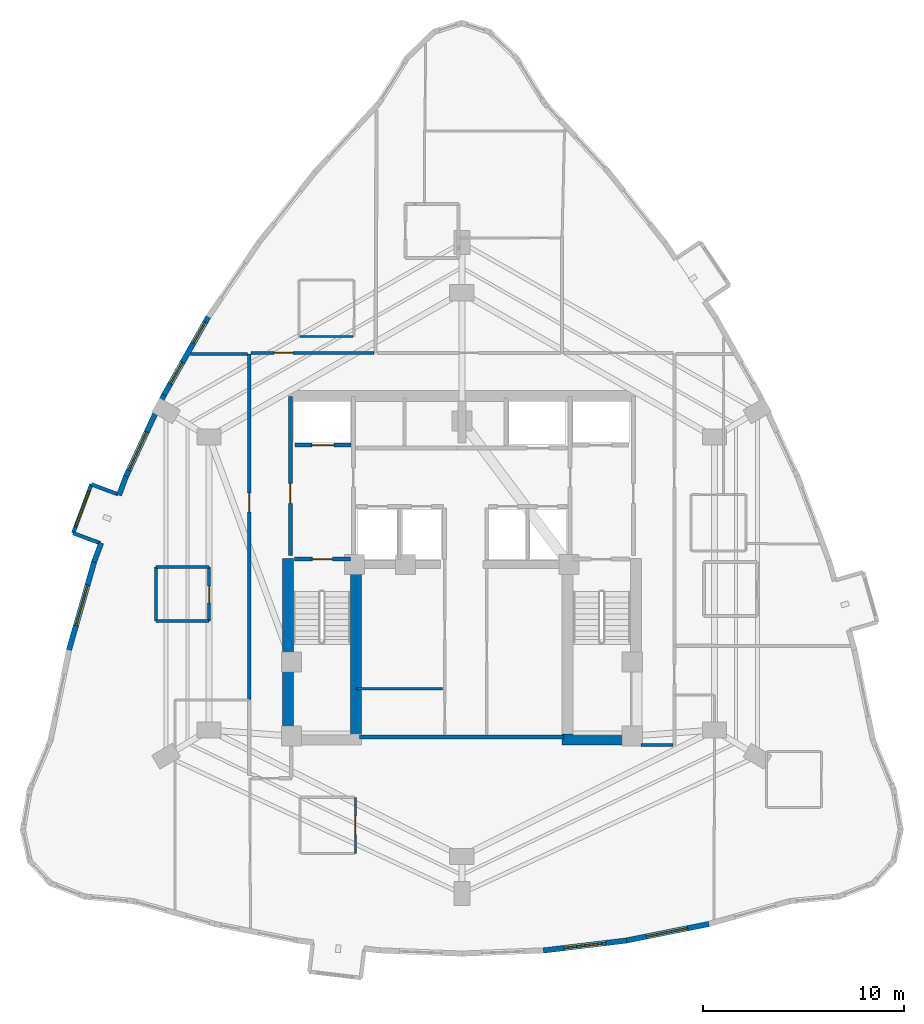
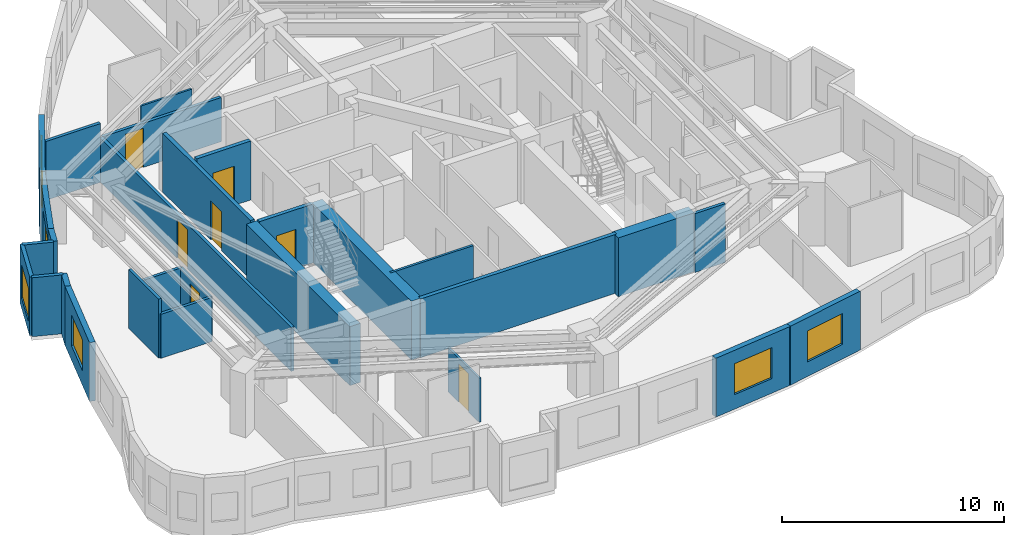
# One storey, part 5 of 10: 28 walls, 7 doors, 7 windows, 14 openings.
"""IFC4 building model written with IfcOpenShell, lengths in metres."""

from ifc_helpers import new_model, si_unit, direction, frame, frame_2d, origin, place, context, subcontext, project, spatial, rectangle, extrude, material, layer, layer_set, type_object, element, fill, save


model = new_model("IFC4")

# Units and contexts
model_context = context("Model", 3, precision=1e-05, world=origin(), true_north=direction((0.0, 1.0)))
body_context = subcontext(model_context, "Body", "Model", "MODEL_VIEW")
ifc_project = project(units=[si_unit("LENGTHUNIT", "METRE"), si_unit("AREAUNIT", "SQUARE_METRE"), si_unit("VOLUMEUNIT", "CUBIC_METRE"), si_unit("PLANEANGLEUNIT", "RADIAN"), si_unit("MASSUNIT", "GRAM", prefix="KILO")], contexts=[model_context])

# Site, building, storey
site_placement = place(None, origin())
site = spatial("IfcSite", under=ifc_project, at=site_placement, CompositionType="ELEMENT")
building_placement = place(site_placement, origin())
building = spatial("IfcBuilding", under=site, at=building_placement, Name="Miruveldt Soraemaru", CompositionType="ELEMENT")
storey_placement = place(building_placement, frame((0.0, 0.0, 124.89990234375)))
storey = spatial("IfcBuildingStorey", under=building, at=storey_placement, Name="L34", CompositionType="ELEMENT", Elevation=124.89990234375)

# Walls
ifc_material_1 = material(Name="White powder-coated aluminium EN AW-6060 T6", Category="aluminium")
ifc_layer_1 = layer(ifc_material_1, 0.18994140625, Name="White powder-coated aluminium EN AW-6060 T6", Category="aluminium")
ifc_layer_set_1 = layer_set([ifc_layer_1], Name="White powder-coated aluminium EN AW-6060 T6")
wall_type_1 = type_object("IfcWallType", Name="WALL-BAY-ALU190", PredefinedType="SOLIDWALL", material=ifc_layer_set_1)
for number, where, z_axis, x_axis, name in (
    (1, (26.866943359375, 47.552978515625, 0.0), (0.0, 0.0, 1.0), (-0.937129361406, 0.348982177182, 0.0), "L34 Bay Window Side Cheek 1L"),
    (2, (24.6240234375, 45.614013671875, 0.0), (0.0, 0.0, 1.0), (0.937129361406, -0.348982177182, 0.0), "L34 Bay Window Side Cheek 1R"),
):
    element("IfcWall", number, at=place(storey_placement, frame(where, z_axis=z_axis, x_axis=x_axis)), inside=storey, type_object=wall_type_1, Name=name, PredefinedType="SOLIDWALL", context=body_context, shape_type="SweptSolid", body=[
        extrude(rectangle(XDim=1.425048828125, YDim=0.18994140625, at=frame_2d((0.71240234375, 0.0))), origin(), (0.0, 0.0, 1.0), 3.235107421875),
    ])

# Wall, opening, window
wall_1_placement = place(storey_placement, frame((25.531494140625, 48.05029296875, 0.0), z_axis=(0.0, 0.0, 1.0), x_axis=(-0.349054047709, -0.937102594051, 0.0)))
wall_1 = element("IfcWall", 3, at=wall_1_placement, inside=storey, type_object=wall_type_1, Name="L34 Bay Window Front Frame 1", PredefinedType="SOLIDWALL", context=body_context, shape_type="SweptSolid", body=[
    extrude(rectangle(XDim=2.599853515625, YDim=0.18994140625, at=frame_2d((1.2998046875, 0.0))), origin(), (0.0, 0.0, 1.0), 3.235107421875),
])
opening_1_placement = place(wall_1_placement, frame((0.35009765625, 0.0, 0.550048828125)))
opening_1 = element("IfcOpeningElement", 4, at=opening_1_placement, cuts=wall_1, Name="Opening WN-6", PredefinedType="OPENING", context=body_context, shape_type="SweptSolid", body=[
    extrude(rectangle(XDim=1.89990234375, YDim=1.85009765625, at=frame_2d((0.949951171875, 0.925048828125))), frame((0.0, 0.10498046875, 0.0), z_axis=(0.0, -1.0, 0.0), x_axis=(1.0, 0.0, 0.0)), (0.0, 0.0, 1.0), 0.2099609375),
])
ifc_material_2 = material(Name="Triple low-e insulated glazing", Category="glass")
window_type_1 = type_object("IfcWindowType", Name="WIN-BAYW-1900x1850", PartitioningType="SINGLE_PANEL", PredefinedType="WINDOW", material=ifc_material_2)
window_1_placement = place(opening_1_placement, origin())
window_1 = element("IfcWindow", 5, at=window_1_placement, inside=storey, type_object=window_type_1, Name="L34 Projecting Bay Window 1", OverallHeight=1.85009765625, OverallWidth=1.89990234375, PartitioningType="SINGLE_PANEL", PredefinedType="WINDOW", context=body_context, shape_type="SweptSolid", body=[
    extrude(rectangle(XDim=1.89990234375, YDim=1.85009765625, at=frame_2d((0.949951171875, 0.925048828125))), frame((0.0, 0.030029296875, 0.0), z_axis=(0.0, -1.0, 0.0), x_axis=(1.0, 0.0, 0.0)), (0.0, 0.0, 1.0), 0.06005859375),
])
fill(opening_1, window_1)

# Walls
ifc_material_3 = material(Name="Concrete C70/85 (70 MPa)", Category="concrete")
ifc_layer_2 = layer(ifc_material_3, 0.550048828125, Name="Concrete C70/85 (70 MPa)", Category="concrete")
ifc_layer_set_2 = layer_set([ifc_layer_2], Name="Concrete C70/85 (70 MPa)")
wall_type_2 = type_object("IfcWallType", Name="WALL-CW-550", PredefinedType="SHEAR", material=ifc_layer_set_2)
wall_2_placement = place(storey_placement, frame((49.0, 35.324951171875, 0.0), z_axis=(0.0, 0.0, 1.0), x_axis=(1.0, 0.0, 0.0)))
element("IfcWall", 6, at=wall_2_placement, inside=storey, type_object=wall_type_2, Name="L34 Central Core Shear Wall S2", PredefinedType="SHEAR", context=body_context, shape_type="SweptSolid", body=[
    extrude(rectangle(XDim=3.949951171875, YDim=0.550048828125, at=frame_2d((1.97509765625, 0.0))), origin(), (0.0, 0.0, 1.0), 3.235107421875),
])
wall_3_placement = place(storey_placement, frame((35.324951171875, 35.050048828125, 0.0), z_axis=(0.0, 0.0, 1.0), x_axis=(0.0, 1.0, 0.0)))
element("IfcWall", 7, at=wall_3_placement, inside=storey, type_object=wall_type_2, Name="L34 Central Core Shear Wall W1", PredefinedType="SHEAR", context=body_context, shape_type="SweptSolid", body=[
    extrude(rectangle(XDim=9.300048828125, YDim=0.550048828125, at=frame_2d((4.64990234375, 0.0))), origin(), (0.0, 0.0, 1.0), 3.235107421875),
])
wall_4_placement = place(storey_placement, frame((38.72509765625, 35.39990234375, 0.0), z_axis=(0.0, 0.0, 1.0), x_axis=(0.0, 1.0, 0.0)))
element("IfcWall", 8, at=wall_4_placement, inside=storey, type_object=wall_type_2, Name="L34 Central Core Shear Wall SW-INT", PredefinedType="SHEAR", context=body_context, shape_type="SweptSolid", body=[
    extrude(rectangle(XDim=8.9501953125, YDim=0.550048828125, at=frame_2d((4.47509765625, 0.0))), origin(), (0.0, 0.0, 1.0), 3.235107421875),
])

# Wall, openings, windows
ifc_material_4 = material(Name="Precast concrete C45/55 (45 MPa)", Category="concrete")
ifc_layer_3 = layer(ifc_material_4, 0.27001953125, Name="Precast concrete C45/55 (45 MPa)", Category="concrete")
ifc_layer_set_3 = layer_set([ifc_layer_3], Name="Precast concrete C45/55 (45 MPa)")
wall_type_3 = type_object("IfcWallType", Name="WALL-EXT-PC270", PredefinedType="SOLIDWALL", material=ifc_layer_set_3)
wall_5_placement = place(storey_placement, frame((31.361328125, 56.396484375, 0.0), z_axis=(0.0, 0.0, 1.0), x_axis=(-0.49335164036, -0.869829959793, 0.0)))
wall_5 = element("IfcWall", 9, at=wall_5_placement, inside=storey, type_object=wall_type_3, Name="L34 Precast Concrete Facade Wall 10", PredefinedType="SOLIDWALL", context=body_context, shape_type="SweptSolid", body=[
    extrude(rectangle(XDim=4.541259765625, YDim=0.27001953125, at=frame_2d((2.2705078125, 0.0))), origin(), (0.0, 0.0, 1.0), 3.235107421875),
])
opening_2_placement = place(wall_5_placement, frame((0.298095703125, 0.0, 0.780029296875)))
opening_2 = element("IfcOpeningElement", 10, at=opening_2_placement, cuts=wall_5, Name="Opening WN-4", PredefinedType="OPENING", context=body_context, shape_type="SweptSolid", body=[
    extrude(rectangle(XDim=1.199951171875, YDim=1.550048828125, at=frame_2d((0.60009765625, 0.77490234375))), frame((0.0, 0.14501953125, 0.0), z_axis=(0.0, -1.0, 0.0), x_axis=(1.0, 0.0, 0.0)), (0.0, 0.0, 1.0), 0.2900390625),
])
opening_3_placement = place(wall_5_placement, frame((2.612060546875, 0.0, 0.780029296875)))
opening_3 = element("IfcOpeningElement", 11, at=opening_3_placement, cuts=wall_5, Name="Opening WN-4", PredefinedType="OPENING", context=body_context, shape_type="SweptSolid", body=[
    extrude(rectangle(XDim=1.199951171875, YDim=1.550048828125, at=frame_2d((0.60009765625, 0.77490234375))), frame((0.0, 0.14501953125, 0.0), z_axis=(0.0, -1.0, 0.0), x_axis=(1.0, 0.0, 0.0)), (0.0, 0.0, 1.0), 0.2900390625),
])
window_type_2 = type_object("IfcWindowType", Name="WIN-PUNCH-1200x1550", PartitioningType="SINGLE_PANEL", PredefinedType="WINDOW", material=ifc_material_2)
window_2_placement = place(opening_2_placement, origin())
window_2 = element("IfcWindow", 12, at=window_2_placement, inside=storey, type_object=window_type_2, Name="L34 Punched Triple-Glazed Window 10.1", OverallHeight=1.550048828125, OverallWidth=1.199951171875, PartitioningType="SINGLE_PANEL", PredefinedType="WINDOW", context=body_context, shape_type="SweptSolid", body=[
    extrude(rectangle(XDim=1.199951171875, YDim=1.550048828125, at=frame_2d((0.60009765625, 0.77490234375))), frame((0.0, 0.030029296875, 0.0), z_axis=(0.0, -1.0, 0.0), x_axis=(1.0, 0.0, 0.0)), (0.0, 0.0, 1.0), 0.06005859375),
])
fill(opening_2, window_2)
window_3_placement = place(opening_3_placement, origin())
window_3 = element("IfcWindow", 13, at=window_3_placement, inside=storey, type_object=window_type_2, Name="L34 Punched Triple-Glazed Window 10.2", OverallHeight=1.550048828125, OverallWidth=1.199951171875, PartitioningType="SINGLE_PANEL", PredefinedType="WINDOW", context=body_context, shape_type="SweptSolid", body=[
    extrude(rectangle(XDim=1.199951171875, YDim=1.550048828125, at=frame_2d((0.60009765625, 0.77490234375))), frame((0.0, 0.030029296875, 0.0), z_axis=(0.0, -1.0, 0.0), x_axis=(1.0, 0.0, 0.0)), (0.0, 0.0, 1.0), 0.06005859375),
])
fill(opening_3, window_3)

# Wall, opening, window
wall_6_placement = place(storey_placement, frame((29.153076171875, 52.508544921875, 0.0), z_axis=(0.0, 0.0, 1.0), x_axis=(-0.422335038646, -0.906439802266, 0.0)))
wall_6 = element("IfcWall", 14, at=wall_6_placement, inside=storey, type_object=wall_type_3, Name="L34 Precast Concrete Facade Wall 11", PredefinedType="SOLIDWALL", context=body_context, shape_type="SweptSolid", body=[
    extrude(rectangle(XDim=4.541259765625, YDim=0.27001953125, at=frame_2d((2.2705078125, 0.0))), origin(), (0.0, 0.0, 1.0), 3.235107421875),
])
opening_4_placement = place(wall_6_placement, frame((2.047119140625, 0.0, 0.800048828125)))
opening_4 = element("IfcOpeningElement", 15, at=opening_4_placement, cuts=wall_6, Name="Opening WN-1", PredefinedType="OPENING", context=body_context, shape_type="SweptSolid", body=[
    extrude(rectangle(XDim=2.10009765625, YDim=1.699951171875, at=frame_2d((1.050048828125, 0.85009765625))), frame((0.0, 0.14501953125, 0.0), z_axis=(0.0, -1.0, 0.0), x_axis=(1.0, 0.0, 0.0)), (0.0, 0.0, 1.0), 0.2900390625),
])
window_type_3 = type_object("IfcWindowType", Name="WIN-PUNCH-2100x1700", PartitioningType="SINGLE_PANEL", PredefinedType="WINDOW", material=ifc_material_2)
window_4_placement = place(opening_4_placement, origin())
window_4 = element("IfcWindow", 16, at=window_4_placement, inside=storey, type_object=window_type_3, Name="L34 Punched Triple-Glazed Window 11.1", OverallHeight=1.699951171875, OverallWidth=2.10009765625, PartitioningType="SINGLE_PANEL", PredefinedType="WINDOW", context=body_context, shape_type="SweptSolid", body=[
    extrude(rectangle(XDim=2.10009765625, YDim=1.699951171875, at=frame_2d((1.050048828125, 0.85009765625))), frame((0.0, 0.030029296875, 0.0), z_axis=(0.0, -1.0, 0.0), x_axis=(1.0, 0.0, 0.0)), (0.0, 0.0, 1.0), 0.06005859375),
])
fill(opening_4, window_4)

# Walls
wall_7_placement = place(storey_placement, frame((27.26220703125, 48.456787109375, 0.0), z_axis=(0.0, 0.0, 1.0), x_axis=(-0.349013766299, -0.937117597174, 0.0)))
element("IfcWall", 17, at=wall_7_placement, inside=storey, type_object=wall_type_3, Name="L34 Precast Pier Wall 12A", PredefinedType="SOLIDWALL", context=body_context, shape_type="SweptSolid", body=[
    extrude(rectangle(XDim=1.014892578125, YDim=0.27001953125, at=frame_2d((0.50732421875, 0.0))), origin(), (0.0, 0.0, 1.0), 3.235107421875),
])
wall_8_placement = place(storey_placement, frame((26.021484375, 45.12548828125, 0.0), z_axis=(0.0, 0.0, 1.0), x_axis=(-0.349092453284, -0.937088287762, 0.0)))
element("IfcWall", 18, at=wall_8_placement, inside=storey, type_object=wall_type_3, Name="L34 Precast Pier Wall 12B", PredefinedType="SOLIDWALL", context=body_context, shape_type="SweptSolid", body=[
    extrude(rectangle(XDim=1.0146484375, YDim=0.27001953125, at=frame_2d((0.50732421875, 0.0))), origin(), (0.0, 0.0, 1.0), 3.235107421875),
])

# Wall, opening, window
wall_9_placement = place(storey_placement, frame((25.689208984375, 44.240966796875, 0.0), z_axis=(0.0, 0.0, 1.0), x_axis=(-0.275006893594, -0.961442254364, 0.0)))
wall_9 = element("IfcWall", 19, at=wall_9_placement, inside=storey, type_object=wall_type_3, Name="L34 Precast Concrete Facade Wall 13", PredefinedType="SOLIDWALL", context=body_context, shape_type="SweptSolid", body=[
    extrude(rectangle(XDim=4.626220703125, YDim=0.27001953125, at=frame_2d((2.31298828125, 0.0))), origin(), (0.0, 0.0, 1.0), 3.235107421875),
])
opening_5_placement = place(wall_9_placement, frame((1.262939453125, 0.0, 0.800048828125)))
opening_5 = element("IfcOpeningElement", 20, at=opening_5_placement, cuts=wall_9, Name="Opening WN-1", PredefinedType="OPENING", context=body_context, shape_type="SweptSolid", body=[
    extrude(rectangle(XDim=2.10009765625, YDim=1.699951171875, at=frame_2d((1.050048828125, 0.85009765625))), frame((0.0, 0.14501953125, 0.0), z_axis=(0.0, -1.0, 0.0), x_axis=(1.0, 0.0, 0.0)), (0.0, 0.0, 1.0), 0.2900390625),
])
window_5_placement = place(opening_5_placement, origin())
window_5 = element("IfcWindow", 21, at=window_5_placement, inside=storey, type_object=window_type_3, Name="L34 Punched Triple-Glazed Window 13.1", OverallHeight=1.699951171875, OverallWidth=2.10009765625, PartitioningType="SINGLE_PANEL", PredefinedType="WINDOW", context=body_context, shape_type="SweptSolid", body=[
    extrude(rectangle(XDim=2.10009765625, YDim=1.699951171875, at=frame_2d((1.050048828125, 0.85009765625))), frame((0.0, 0.030029296875, 0.0), z_axis=(0.0, -1.0, 0.0), x_axis=(1.0, 0.0, 0.0)), (0.0, 0.0, 1.0), 0.06005859375),
])
fill(opening_5, window_5)

wall_10_placement = place(storey_placement, frame((48.05908203125, 24.805908203125, 0.0), z_axis=(0.0, 0.0, 1.0), x_axis=(0.992874083521, 0.119168176427, 0.0)))
wall_10 = element("IfcWall", 22, at=wall_10_placement, inside=storey, type_object=wall_type_3, Name="L34 Precast Concrete Facade Wall 26", PredefinedType="SOLIDWALL", context=body_context, shape_type="SweptSolid", body=[
    extrude(rectangle(XDim=4.193603515625, YDim=0.27001953125, at=frame_2d((2.0966796875, 0.0))), origin(), (0.0, 0.0, 1.0), 3.235107421875),
])
opening_6_placement = place(wall_10_placement, frame((1.047119140625, 0.0, 0.800048828125)))
opening_6 = element("IfcOpeningElement", 23, at=opening_6_placement, cuts=wall_10, Name="Opening WN-1", PredefinedType="OPENING", context=body_context, shape_type="SweptSolid", body=[
    extrude(rectangle(XDim=2.10009765625, YDim=1.699951171875, at=frame_2d((1.050048828125, 0.85009765625))), frame((0.0, 0.14501953125, 0.0), z_axis=(0.0, -1.0, 0.0), x_axis=(1.0, 0.0, 0.0)), (0.0, 0.0, 1.0), 0.2900390625),
])
window_6_placement = place(opening_6_placement, origin())
window_6 = element("IfcWindow", 24, at=window_6_placement, inside=storey, type_object=window_type_3, Name="L34 Punched Triple-Glazed Window 26.1", OverallHeight=1.699951171875, OverallWidth=2.10009765625, PartitioningType="SINGLE_PANEL", PredefinedType="WINDOW", context=body_context, shape_type="SweptSolid", body=[
    extrude(rectangle(XDim=2.10009765625, YDim=1.699951171875, at=frame_2d((1.050048828125, 0.85009765625))), frame((0.0, 0.030029296875, 0.0), z_axis=(0.0, -1.0, 0.0), x_axis=(1.0, 0.0, 0.0)), (0.0, 0.0, 1.0), 0.06005859375),
])
fill(opening_6, window_6)

wall_11_placement = place(storey_placement, frame((52.15380859375, 25.29443359375, 0.0), z_axis=(0.0, 0.0, 1.0), x_axis=(0.980569614244, 0.196171434263, 0.0)))
wall_11 = element("IfcWall", 25, at=wall_11_placement, inside=storey, type_object=wall_type_3, Name="L34 Precast Concrete Facade Wall 27", PredefinedType="SOLIDWALL", context=body_context, shape_type="SweptSolid", body=[
    extrude(rectangle(XDim=4.2451171875, YDim=0.27001953125, at=frame_2d((2.12255859375, 0.0))), origin(), (0.0, 0.0, 1.0), 3.235107421875),
])
opening_7_placement = place(wall_11_placement, frame((1.072998046875, 0.0, 0.800048828125)))
opening_7 = element("IfcOpeningElement", 26, at=opening_7_placement, cuts=wall_11, Name="Opening WN-1", PredefinedType="OPENING", context=body_context, shape_type="SweptSolid", body=[
    extrude(rectangle(XDim=2.10009765625, YDim=1.699951171875, at=frame_2d((1.050048828125, 0.85009765625))), frame((0.0, 0.14501953125, 0.0), z_axis=(0.0, -1.0, 0.0), x_axis=(1.0, 0.0, 0.0)), (0.0, 0.0, 1.0), 0.2900390625),
])
window_7_placement = place(opening_7_placement, origin())
window_7 = element("IfcWindow", 27, at=window_7_placement, inside=storey, type_object=window_type_3, Name="L34 Punched Triple-Glazed Window 27.1", OverallHeight=1.699951171875, OverallWidth=2.10009765625, PartitioningType="SINGLE_PANEL", PredefinedType="WINDOW", context=body_context, shape_type="SweptSolid", body=[
    extrude(rectangle(XDim=2.10009765625, YDim=1.699951171875, at=frame_2d((1.050048828125, 0.85009765625))), frame((0.0, 0.030029296875, 0.0), z_axis=(0.0, -1.0, 0.0), x_axis=(1.0, 0.0, 0.0)), (0.0, 0.0, 1.0), 0.06005859375),
])
fill(opening_7, window_7)

# Wall, opening, door
ifc_material_5 = material(Name="Gypsum plasterboard lining", Category="gypsum")
ifc_layer_4 = layer(ifc_material_5, 0.10009765625, Name="Gypsum plasterboard lining", Category="gypsum")
ifc_layer_set_4 = layer_set([ifc_layer_4], Name="Gypsum plasterboard lining")
wall_type_4 = type_object("IfcWallType", Name="WALL-INT-P100", PredefinedType="PARTITIONING", material=ifc_layer_set_4)
wall_12_placement = place(storey_placement, frame((38.694091796875, 29.64794921875, 0.0), z_axis=(0.0, 0.0, 1.0), x_axis=(0.0, 1.0, 0.0)))
wall_12 = element("IfcWall", 28, at=wall_12_placement, inside=storey, type_object=wall_type_4, Name="L34 Partition Wall 30", PredefinedType="PARTITIONING", context=body_context, shape_type="SweptSolid", body=[
    extrude(rectangle(XDim=2.800048828125, YDim=0.10009765625, at=frame_2d((1.39990234375, 0.0))), origin(), (0.0, 0.0, 1.0), 2.423095703125),
])
opening_8_placement = place(wall_12_placement, frame((0.93994140625, 0.0, 0.0)))
opening_8 = element("IfcOpeningElement", 29, at=opening_8_placement, cuts=wall_12, Name="Opening D3A", PredefinedType="OPENING", context=body_context, shape_type="SweptSolid", body=[
    extrude(rectangle(XDim=0.919921875, YDim=2.10009765625, at=frame_2d((0.4599609375, 1.050048828125))), frame((0.0, 0.06005859375, 0.0), z_axis=(0.0, -1.0, 0.0), x_axis=(1.0, 0.0, 0.0)), (0.0, 0.0, 1.0), 0.1201171875),
])
ifc_material_6 = material(Name="Anodised aluminium EN AW-6063 T6", Category="aluminium")
door_type_1 = type_object("IfcDoorType", Name="DOOR-INT-920", OperationType="NOTDEFINED", PredefinedType="DOOR", material=ifc_material_6)
door_1_placement = place(opening_8_placement, origin())
door_1 = element("IfcDoor", 30, at=door_1_placement, inside=storey, type_object=door_type_1, Name="L34 Unit 3404 KIT Door", OperationType="SINGLE_SWING_RIGHT", OverallHeight=2.10009765625, OverallWidth=0.919921875, PredefinedType="DOOR", context=body_context, shape_type="SweptSolid", body=[
    extrude(rectangle(XDim=0.919921875, YDim=2.10009765625, at=frame_2d((0.4599609375, 1.050048828125))), frame((0.0, 0.02490234375, 0.0), z_axis=(0.0, -1.0, 0.0), x_axis=(1.0, 0.0, 0.0)), (0.0, 0.0, 1.0), 0.050048828125),
])
fill(opening_8, door_1)

# Walls
wall_13_placement = place(storey_placement, frame((35.93701171875, 55.429931640625, 0.0), z_axis=(0.0, 0.0, 1.0), x_axis=(1.0, 0.0, 0.0)))
element("IfcWall", 31, at=wall_13_placement, inside=storey, type_object=wall_type_4, Name="L34 Partition Wall 15", PredefinedType="PARTITIONING", context=body_context, shape_type="SweptSolid", body=[
    extrude(rectangle(XDim=2.64990234375, YDim=0.10009765625, at=frame_2d((1.324951171875, 0.0))), origin(), (0.0, 0.0, 1.0), 2.72314453125),
])
ifc_layer_5 = layer(ifc_material_5, 0.1201171875, Name="Gypsum plasterboard lining", Category="gypsum")
ifc_layer_set_5 = layer_set([ifc_layer_5], Name="Gypsum plasterboard lining")
wall_type_5 = type_object("IfcWallType", Name="WALL-INT-P120", PredefinedType="PARTITIONING", material=ifc_layer_set_5)
wall_14_placement = place(storey_placement, frame((38.75, 37.85009765625, 0.0), z_axis=(0.0, 0.0, 1.0), x_axis=(1.0, 0.0, 0.0)))
element("IfcWall", 32, at=wall_14_placement, inside=storey, type_object=wall_type_5, Name="L34 Core Compartment Wall RL-W1H", PredefinedType="PARTITIONING", context=body_context, shape_type="SweptSolid", body=[
    extrude(rectangle(XDim=4.300048828125, YDim=0.1201171875, at=frame_2d((2.14990234375, 0.0))), origin(), (0.0, 0.0, 1.0), 3.235107421875),
])

# Wall, opening, door
ifc_layer_6 = layer(ifc_material_5, 0.14990234375, Name="Gypsum plasterboard lining", Category="gypsum")
ifc_layer_set_6 = layer_set([ifc_layer_6], Name="Gypsum plasterboard lining")
wall_type_6 = type_object("IfcWallType", Name="WALL-INT-PLUMB", PredefinedType="PLUMBINGWALL", material=ifc_layer_set_6)
wall_15_placement = place(storey_placement, frame((31.404052734375, 41.22509765625, 0.0), z_axis=(0.0, 0.0, 1.0), x_axis=(0.0, 1.0, 0.0)))
wall_15 = element("IfcWall", 33, at=wall_15_placement, inside=storey, type_object=wall_type_6, Name="L34 Partition Wall 35", PredefinedType="PLUMBINGWALL", context=body_context, shape_type="SweptSolid", body=[
    extrude(rectangle(XDim=2.699951171875, YDim=0.14990234375, at=frame_2d((1.35009765625, 0.0))), origin(), (0.0, 0.0, 1.0), 2.423095703125),
])
opening_9_placement = place(wall_15_placement, frame((0.909912109375, 0.0, 0.0)))
opening_9 = element("IfcOpeningElement", 34, at=opening_9_placement, cuts=wall_15, Name="Opening FD3", PredefinedType="OPENING", context=body_context, shape_type="SweptSolid", body=[
    extrude(rectangle(XDim=0.85009765625, YDim=2.10009765625, at=frame_2d((0.425048828125, 1.050048828125))), frame((0.0, 0.0849609375, 0.0), z_axis=(0.0, -1.0, 0.0), x_axis=(1.0, 0.0, 0.0)), (0.0, 0.0, 1.0), 0.169921875),
])
door_type_2 = type_object("IfcDoorType", Name="DOOR-FD3-850", OperationType="NOTDEFINED", PredefinedType="DOOR", material=ifc_material_6)
door_2_placement = place(opening_9_placement, origin())
door_2 = element("IfcDoor", 35, at=door_2_placement, inside=storey, type_object=door_type_2, Name="L34 Unit CL05 BTH Door", OperationType="SINGLE_SWING_LEFT", OverallHeight=2.10009765625, OverallWidth=0.85009765625, PredefinedType="DOOR", context=body_context, shape_type="SweptSolid", body=[
    extrude(rectangle(XDim=0.85009765625, YDim=2.10009765625, at=frame_2d((0.425048828125, 1.050048828125))), frame((0.0, 0.02490234375, 0.0), z_axis=(0.0, -1.0, 0.0), x_axis=(1.0, 0.0, 0.0)), (0.0, 0.0, 1.0), 0.050048828125),
])
fill(opening_9, door_2)

# Walls
wall_16_placement = place(storey_placement, frame((28.75390625, 43.925048828125, 0.0), z_axis=(0.0, 0.0, 1.0), x_axis=(0.0, -1.0, 0.0)))
element("IfcWall", 36, at=wall_16_placement, inside=storey, type_object=wall_type_6, Name="L34 Partition Wall 37", PredefinedType="PLUMBINGWALL", context=body_context, shape_type="SweptSolid", body=[
    extrude(rectangle(XDim=2.699951171875, YDim=0.14990234375, at=frame_2d((1.35009765625, 0.0))), origin(), (0.0, 0.0, 1.0), 3.235107421875),
])
for number, where, z_axis, x_axis, name in (
    (37, (31.404052734375, 43.925048828125, 0.0), (0.0, 0.0, 1.0), (-1.0, 0.0, 0.0), "L34 Partition Wall 36"),
    (38, (28.75390625, 41.22509765625, 0.0), (0.0, 0.0, 1.0), (1.0, 0.0, 0.0), "L34 Partition Wall 38"),
):
    element("IfcWall", number, at=place(storey_placement, frame(where, z_axis=z_axis, x_axis=x_axis)), inside=storey, type_object=wall_type_6, Name=name, PredefinedType="PLUMBINGWALL", context=body_context, shape_type="SweptSolid", body=[
        extrude(rectangle(XDim=2.650146484375, YDim=0.14990234375, at=frame_2d((1.3251953125, 0.0))), origin(), (0.0, 0.0, 1.0), 2.423095703125),
    ])

# Wall, opening, door
ifc_material_7 = material(Name="Concrete C40/50 (40 MPa)", Category="concrete")
ifc_layer_7 = layer(ifc_material_7, 0.159912109375, Name="Concrete C40/50 (40 MPa)", Category="concrete")
ifc_layer_set_7 = layer_set([ifc_layer_7], Name="Concrete C40/50 (40 MPa)")
wall_type_7 = type_object("IfcWallType", Name="WALL-INT-RC160", PredefinedType="SOLIDWALL", material=ifc_layer_set_7)
wall_17_placement = place(storey_placement, frame((33.39990234375, 54.547119140625, 0.0), z_axis=(0.0, 0.0, 1.0), x_axis=(0.0, -1.0, 0.0)))
wall_17 = element("IfcWall", 39, at=wall_17_placement, inside=storey, type_object=wall_type_7, Name="L34 Partition Wall 7", PredefinedType="SOLIDWALL", context=body_context, shape_type="SweptSolid", body=[
    extrude(rectangle(XDim=17.217041015625, YDim=0.159912109375, at=frame_2d((8.6083984375, 0.0))), origin(), (0.0, 0.0, 1.0), 2.423095703125),
])
opening_10_placement = place(wall_17_placement, frame((6.926025390625, 0.0, 0.0)))
opening_10 = element("IfcOpeningElement", 40, at=opening_10_placement, cuts=wall_17, Name="Opening FD2", PredefinedType="OPENING", context=body_context, shape_type="SweptSolid", body=[
    extrude(rectangle(XDim=0.949951171875, YDim=2.14990234375, at=frame_2d((0.47509765625, 1.074951171875))), frame((0.0, 0.08984375, 0.0), z_axis=(0.0, -1.0, 0.0), x_axis=(1.0, 0.0, 0.0)), (0.0, 0.0, 1.0), 0.179931640625),
])
door_type_3 = type_object("IfcDoorType", Name="DOOR-FD2-950", OperationType="NOTDEFINED", PredefinedType="DOOR", material=ifc_material_6)
door_3_placement = place(opening_10_placement, origin())
door_3 = element("IfcDoor", 41, at=door_3_placement, inside=storey, type_object=door_type_3, Name="L34 Unit CL05 Entrance Fire Door", OperationType="SINGLE_SWING_RIGHT", OverallHeight=2.14990234375, OverallWidth=0.949951171875, PredefinedType="DOOR", context=body_context, shape_type="SweptSolid", body=[
    extrude(rectangle(XDim=0.949951171875, YDim=2.14990234375, at=frame_2d((0.47509765625, 1.074951171875))), frame((0.0, 0.02490234375, 0.0), z_axis=(0.0, -1.0, 0.0), x_axis=(1.0, 0.0, 0.0)), (0.0, 0.0, 1.0), 0.050048828125),
])
fill(opening_10, door_3)

wall_18_placement = place(storey_placement, frame((39.623046875, 54.60009765625, 0.0), z_axis=(0.0, 0.0, 1.0), x_axis=(-1.0, 0.0, 0.0)))
wall_18 = element("IfcWall", 42, at=wall_18_placement, inside=storey, type_object=wall_type_7, Name="L34 Partition Wall 1", PredefinedType="SOLIDWALL", context=body_context, shape_type="SweptSolid", body=[
    extrude(rectangle(XDim=6.14306640625, YDim=0.159912109375, at=frame_2d((3.071533203125, 0.0))), origin(), (0.0, 0.0, 1.0), 2.423095703125),
])
opening_11_placement = place(wall_18_placement, frame((4.037109375, 0.0, 0.0)))
opening_11 = element("IfcOpeningElement", 43, at=opening_11_placement, cuts=wall_18, Name="Opening FD2", PredefinedType="OPENING", context=body_context, shape_type="SweptSolid", body=[
    extrude(rectangle(XDim=0.949951171875, YDim=2.14990234375, at=frame_2d((0.47509765625, 1.074951171875))), frame((0.0, 0.08984375, 0.0), z_axis=(0.0, -1.0, 0.0), x_axis=(1.0, 0.0, 0.0)), (0.0, 0.0, 1.0), 0.179931640625),
])
door_4_placement = place(opening_11_placement, origin())
door_4 = element("IfcDoor", 44, at=door_4_placement, inside=storey, type_object=door_type_3, Name="L34 Unit CL01 Entrance Fire Door", OperationType="SINGLE_SWING_RIGHT", OverallHeight=2.14990234375, OverallWidth=0.949951171875, PredefinedType="DOOR", context=body_context, shape_type="SweptSolid", body=[
    extrude(rectangle(XDim=0.949951171875, YDim=2.14990234375, at=frame_2d((0.47509765625, 1.074951171875))), frame((0.0, 0.02490234375, 0.0), z_axis=(0.0, -1.0, 0.0), x_axis=(1.0, 0.0, 0.0)), (0.0, 0.0, 1.0), 0.050048828125),
])
fill(opening_11, door_4)

# Walls
wall_19_placement = place(storey_placement, frame((30.487060546875, 54.550048828125, 0.0), z_axis=(0.0, 0.0, 1.0), x_axis=(1.0, 0.0, 0.0)))
element("IfcWall", 45, at=wall_19_placement, inside=storey, type_object=wall_type_7, Name="L34 Partition Wall 17", PredefinedType="SOLIDWALL", context=body_context, shape_type="SweptSolid", body=[
    extrude(rectangle(XDim=2.829833984375, YDim=0.159912109375, at=frame_2d((1.4150390625, 0.0))), origin(), (0.0, 0.0, 1.0), 3.235107421875),
])
wall_20_placement = place(storey_placement, frame((52.946044921875, 35.050048828125, 0.0), z_axis=(0.0, 0.0, 1.0), x_axis=(1.0, 0.0, 0.0)))
element("IfcWall", 46, at=wall_20_placement, inside=storey, type_object=wall_type_7, Name="L34 Partition Wall 10", PredefinedType="SOLIDWALL", context=body_context, shape_type="SweptSolid", body=[
    extrude(rectangle(XDim=1.573974609375, YDim=0.159912109375, at=frame_2d((0.787109375, 0.0))), origin(), (0.0, 0.0, 1.0), 3.235107421875),
])

# Wall, opening, door
ifc_layer_8 = layer(ifc_material_7, 0.199951171875, Name="Concrete C40/50 (40 MPa)", Category="concrete")
ifc_layer_set_8 = layer_set([ifc_layer_8], Name="Concrete C40/50 (40 MPa)")
wall_type_8 = type_object("IfcWallType", Name="WALL-INT-RC200", PredefinedType="SOLIDWALL", material=ifc_layer_set_8)
wall_21_placement = place(storey_placement, frame((35.449951171875, 44.5, 0.0), z_axis=(0.0, 0.0, 1.0), x_axis=(0.0, 1.0, 0.0)))
wall_21 = element("IfcWall", 47, at=wall_21_placement, inside=storey, type_object=wall_type_8, Name="L34 Core Compartment Wall FFW-OUT", PredefinedType="SOLIDWALL", context=body_context, shape_type="SweptSolid", body=[
    extrude(rectangle(XDim=7.919921875, YDim=0.199951171875, at=frame_2d((3.9599609375, 0.0))), origin(), (0.0, 0.0, 1.0), 3.235107421875),
])
opening_12_placement = place(wall_21_placement, frame((2.60009765625, 0.0, 0.0)))
opening_12 = element("IfcOpeningElement", 48, at=opening_12_placement, cuts=wall_21, Name="Opening FD1", PredefinedType="OPENING", context=body_context, shape_type="SweptSolid", body=[
    extrude(rectangle(XDim=1.0, YDim=2.14990234375, at=frame_2d((0.5, 1.074951171875))), frame((0.0, 0.10986328125, 0.0), z_axis=(0.0, -1.0, 0.0), x_axis=(1.0, 0.0, 0.0)), (0.0, 0.0, 1.0), 0.219970703125),
])
door_type_4 = type_object("IfcDoorType", Name="DOOR-FD1-1000", OperationType="NOTDEFINED", PredefinedType="DOOR", material=ifc_material_6)
door_5_placement = place(opening_12_placement, origin())
door_5 = element("IfcDoor", 49, at=door_5_placement, inside=storey, type_object=door_type_4, Name="L34 West Firefighting Lobby Exit Door", OperationType="SINGLE_SWING_LEFT", OverallHeight=2.14990234375, OverallWidth=1.0, PredefinedType="DOOR", context=body_context, shape_type="SweptSolid", body=[
    extrude(rectangle(XDim=1.0, YDim=2.14990234375, at=frame_2d((0.5, 1.074951171875))), frame((0.0, 0.02490234375, 0.0), z_axis=(0.0, -1.0, 0.0), x_axis=(1.0, 0.0, 0.0)), (0.0, 0.0, 1.0), 0.050048828125),
])
fill(opening_12, door_5)

wall_22_placement = place(storey_placement, frame((35.64990234375, 44.320068359375, 0.0), z_axis=(0.0, 0.0, 1.0), x_axis=(1.0, 0.0, 0.0)))
wall_22 = element("IfcWall", 50, at=wall_22_placement, inside=storey, type_object=wall_type_8, Name="L34 Core Compartment Wall ST1-N", PredefinedType="SOLIDWALL", context=body_context, shape_type="SweptSolid", body=[
    extrude(rectangle(XDim=2.800048828125, YDim=0.199951171875, at=frame_2d((1.39990234375, 0.0))), origin(), (0.0, 0.0, 1.0), 3.235107421875),
])
opening_13_placement = place(wall_22_placement, frame((0.89990234375, 0.0, 0.0)))
opening_13 = element("IfcOpeningElement", 51, at=opening_13_placement, cuts=wall_22, Name="Opening FD1", PredefinedType="OPENING", context=body_context, shape_type="SweptSolid", body=[
    extrude(rectangle(XDim=1.0, YDim=2.14990234375, at=frame_2d((0.5, 1.074951171875))), frame((0.0, 0.10986328125, 0.0), z_axis=(0.0, -1.0, 0.0), x_axis=(1.0, 0.0, 0.0)), (0.0, 0.0, 1.0), 0.219970703125),
])
door_6_placement = place(opening_13_placement, frame((1.0, 0.0, 0.0), z_axis=(0.0, 0.0, 1.0), x_axis=(-1.0, 0.0, 0.0)))
door_6 = element("IfcDoor", 52, at=door_6_placement, inside=storey, type_object=door_type_4, Name="L34 Stair ST-1 Fire Door", OperationType="SINGLE_SWING_LEFT", OverallHeight=2.14990234375, OverallWidth=1.0, PredefinedType="DOOR", context=body_context, shape_type="SweptSolid", body=[
    extrude(rectangle(XDim=1.0, YDim=2.14990234375, at=frame_2d((0.5, 1.074951171875))), frame((0.0, 0.02490234375, 0.0), z_axis=(0.0, -1.0, 0.0), x_axis=(1.0, 0.0, 0.0)), (0.0, 0.0, 1.0), 0.050048828125),
])
fill(opening_13, door_6)

wall_23_placement = place(storey_placement, frame((35.679931640625, 50.0, 0.0), z_axis=(0.0, 0.0, 1.0), x_axis=(1.0, 0.0, 0.0)))
wall_23 = element("IfcWall", 53, at=wall_23_placement, inside=storey, type_object=wall_type_8, Name="L34 Core Compartment Wall FFL1-S", PredefinedType="SOLIDWALL", context=body_context, shape_type="SweptSolid", body=[
    extrude(rectangle(XDim=2.800048828125, YDim=0.199951171875, at=frame_2d((1.39990234375, 0.0))), origin(), (0.0, 0.0, 1.0), 3.235107421875),
])
opening_14_placement = place(wall_23_placement, frame((0.85009765625, 0.0, 0.0)))
opening_14 = element("IfcOpeningElement", 54, at=opening_14_placement, cuts=wall_23, Name="Opening LD2", PredefinedType="OPENING", context=body_context, shape_type="SweptSolid", body=[
    extrude(rectangle(XDim=1.10009765625, YDim=2.14990234375, at=frame_2d((0.550048828125, 1.074951171875))), frame((0.0, 0.10986328125, 0.0), z_axis=(0.0, -1.0, 0.0), x_axis=(1.0, 0.0, 0.0)), (0.0, 0.0, 1.0), 0.219970703125),
])
door_type_5 = type_object("IfcDoorType", Name="DOOR-LD2-1100", OperationType="SLIDING_TO_LEFT", PredefinedType="DOOR", material=ifc_material_6)
door_7_placement = place(opening_14_placement, origin())
door_7 = element("IfcDoor", 55, at=door_7_placement, inside=storey, type_object=door_type_5, Name="L34 FFL-1 Landing Door", OperationType="SLIDING_TO_LEFT", OverallHeight=2.14990234375, OverallWidth=1.10009765625, PredefinedType="DOOR", context=body_context, shape_type="SweptSolid", body=[
    extrude(rectangle(XDim=1.10009765625, YDim=2.14990234375, at=frame_2d((0.550048828125, 1.074951171875))), frame((0.0, 0.02490234375, 0.0), z_axis=(0.0, -1.0, 0.0), x_axis=(1.0, 0.0, 0.0)), (0.0, 0.0, 1.0), 0.050048828125),
])
fill(opening_14, door_7)

# Wall
wall_24_placement = place(storey_placement, frame((38.89990234375, 35.449951171875, 0.0), z_axis=(0.0, 0.0, 1.0), x_axis=(1.0, 0.0, 0.0)))
element("IfcWall", 56, at=wall_24_placement, inside=storey, type_object=wall_type_8, Name="L34 Core Compartment Wall CS-S", PredefinedType="SOLIDWALL", context=body_context, shape_type="SweptSolid", body=[
    extrude(rectangle(XDim=10.2001953125, YDim=0.199951171875, at=frame_2d((5.10009765625, 0.0))), origin(), (0.0, 0.0, 1.0), 3.235107421875),
])

save(model, "model.ifc")
